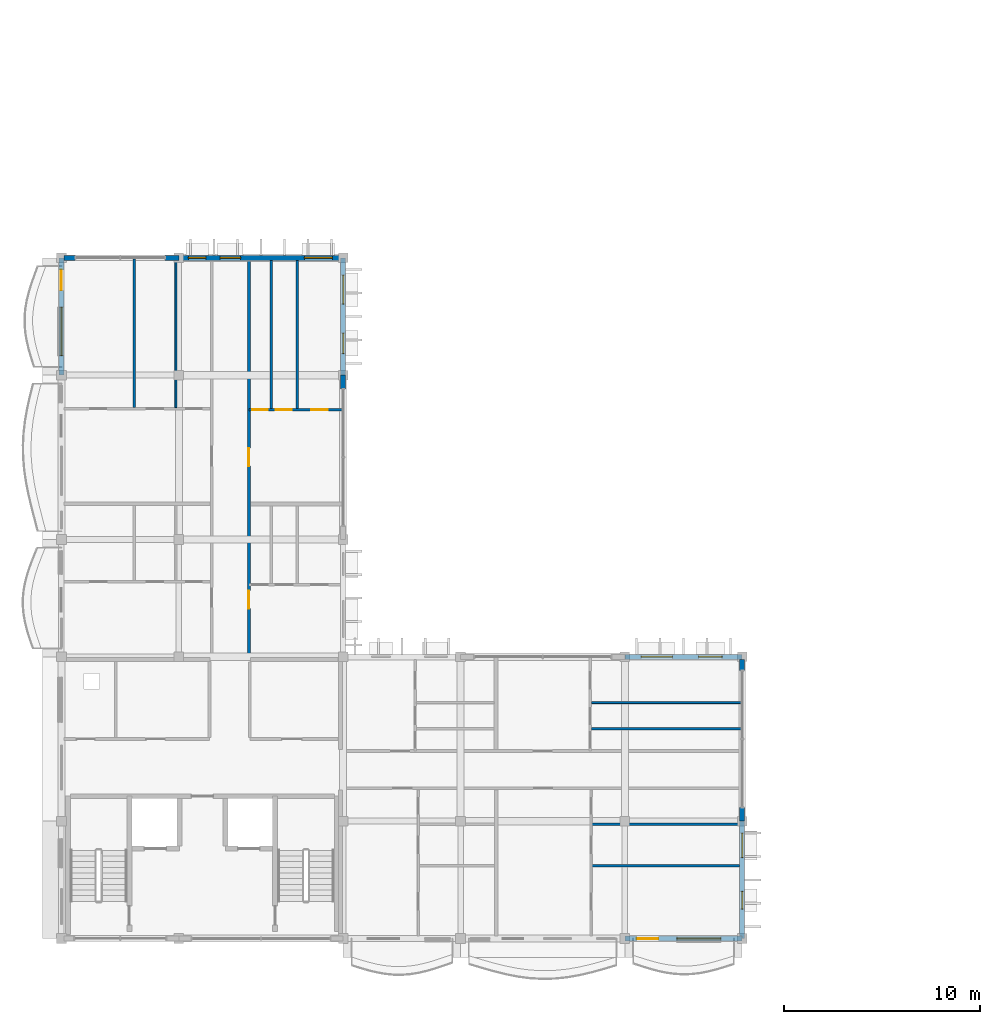
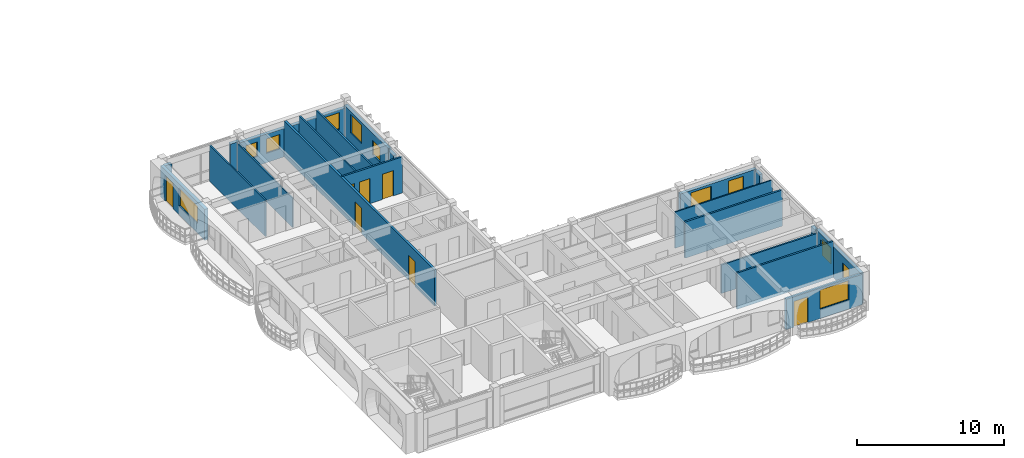
# One storey, part 23 of 54: 21 walls, 11 windows, 7 doors, 18 openings.
"""IFC4 building model written with IfcOpenShell, lengths in metres."""

from ifc_helpers import new_model, si_unit, direction, frame, frame_2d, origin, place, context, subcontext, project, spatial, rectangle, extrude, material, layer, layer_set, type_object, element, fill, save


model = new_model("IFC4")

# Units and contexts
model_context = context("Model", 3, precision=1e-05, world=origin(), true_north=direction((0.0, 1.0)))
body_context = subcontext(model_context, "Body", "Model", "MODEL_VIEW")
ifc_project = project(units=[si_unit("LENGTHUNIT", "METRE"), si_unit("AREAUNIT", "SQUARE_METRE"), si_unit("VOLUMEUNIT", "CUBIC_METRE"), si_unit("PLANEANGLEUNIT", "RADIAN"), si_unit("MASSUNIT", "GRAM", prefix="KILO"), si_unit("THERMODYNAMICTEMPERATUREUNIT", "KELVIN")], contexts=[model_context])

# Site, building, storey
site_placement = place(None, origin())
site = spatial("IfcSite", under=ifc_project, at=site_placement, CompositionType="ELEMENT")
building_placement = place(site_placement, origin())
building = spatial("IfcBuilding", under=site, at=building_placement, Name="Thalorik Housing Commons", CompositionType="ELEMENT")
storey_placement = place(building_placement, frame((0.0, 0.0, 31.199951171875)))
storey = spatial("IfcBuildingStorey", under=building, at=storey_placement, Name="L09", CompositionType="ELEMENT", Elevation=31.199951171875)

# Wall, openings, doors
ifc_material_1 = material(Name="Masonry fire-rated corridor wall", Category="masonry")
ifc_layer_1 = layer(ifc_material_1, 0.1650390625, Name="Masonry fire-rated corridor wall", Category="masonry")
ifc_layer_set_1 = layer_set([ifc_layer_1], Name="Masonry fire-rated corridor wall")
wall_type_1 = type_object("IfcWallType", Name="ARC-WAL-CORR-165", PredefinedType="PARTITIONING", material=ifc_layer_set_1)
wall_1_placement = place(storey_placement, frame((17.97998046875, 22.659912109375, 0.0), z_axis=(0.0, 0.0, 1.0), x_axis=(0.0, 1.0, 0.0)))
wall_1 = element("IfcWall", 1, at=wall_1_placement, inside=storey, type_object=wall_type_1, Name="L09 Block C W Corridor Wall 2", PredefinedType="PARTITIONING", context=body_context, shape_type="SweptSolid", body=[
    extrude(rectangle(XDim=20.41064453125, YDim=0.1650390625, at=frame_2d((10.205322265625, 0.0))), origin(), (0.0, 0.0, 1.0), 3.0),
])
opening_1_placement = place(wall_1_placement, frame((2.61083984375, 0.0, 0.0)))
opening_1 = element("IfcOpeningElement", 2, at=opening_1_placement, cuts=wall_1, Name="Opening ID-1936", PredefinedType="OPENING", context=body_context, shape_type="SweptSolid", body=[
    extrude(rectangle(XDim=0.919921875, YDim=2.10009765625, at=frame_2d((0.4599609375, 1.050048828125))), frame((0.0, 0.092529296875, 0.0), z_axis=(0.0, -1.0, 0.0), x_axis=(1.0, 0.0, 0.0)), (0.0, 0.0, 1.0), 0.18505859375),
])
opening_2_placement = place(wall_1_placement, frame((9.884765625, 0.0, 0.0)))
opening_2 = element("IfcOpeningElement", 3, at=opening_2_placement, cuts=wall_1, Name="Opening ID-1937", PredefinedType="OPENING", context=body_context, shape_type="SweptSolid", body=[
    extrude(rectangle(XDim=0.919921875, YDim=2.10009765625, at=frame_2d((0.4599609375, 1.050048828125))), frame((0.0, 0.092529296875, 0.0), z_axis=(0.0, -1.0, 0.0), x_axis=(1.0, 0.0, 0.0)), (0.0, 0.0, 1.0), 0.18505859375),
])
ifc_material_2 = material(Name="Solid core hardwood timber", Category="wood")
door_type_1 = type_object("IfcDoorType", Name="ARC-DR-FD30-920", OperationType="NOTDEFINED", PredefinedType="DOOR", material=ifc_material_2)
door_1_placement = place(opening_1_placement, origin())
door_1 = element("IfcDoor", 4, at=door_1_placement, inside=storey, type_object=door_type_1, Name="L09 Flat CW-1B Entrance Door", OperationType="SINGLE_SWING_LEFT", OverallHeight=2.10009765625, OverallWidth=0.919921875, PredefinedType="DOOR", context=body_context, shape_type="SweptSolid", body=[
    extrude(rectangle(XDim=0.919921875, YDim=2.10009765625, at=frame_2d((0.4599609375, 1.050048828125))), frame((0.0, 0.02490234375, 0.0), z_axis=(0.0, -1.0, 0.0), x_axis=(1.0, 0.0, 0.0)), (0.0, 0.0, 1.0), 0.050048828125),
])
fill(opening_1, door_1)
door_2_placement = place(opening_2_placement, origin())
door_2 = element("IfcDoor", 5, at=door_2_placement, inside=storey, type_object=door_type_1, Name="L09 Flat CW-2B Entrance Door", OperationType="SINGLE_SWING_RIGHT", OverallHeight=2.10009765625, OverallWidth=0.919921875, PredefinedType="DOOR", context=body_context, shape_type="SweptSolid", body=[
    extrude(rectangle(XDim=0.919921875, YDim=2.10009765625, at=frame_2d((0.4599609375, 1.050048828125))), frame((0.0, 0.02490234375, 0.0), z_axis=(0.0, -1.0, 0.0), x_axis=(1.0, 0.0, 0.0)), (0.0, 0.0, 1.0), 0.050048828125),
])
fill(opening_2, door_2)

# Wall
ifc_material_3 = material(Name="White precast concrete C40/50", Category="concrete")
ifc_layer_2 = layer(ifc_material_3, 0.2548828125, Name="White precast concrete C40/50", Category="concrete")
ifc_layer_set_2 = layer_set([ifc_layer_2], Name="White precast concrete C40/50")
wall_type_2 = type_object("IfcWallType", Name="ARC-WAL-EXT-255", PredefinedType="STANDARD", material=ifc_layer_set_2)
wall_2_placement = place(storey_placement, frame((22.800048828125, 36.5, 0.0), z_axis=(0.0, 0.0, 1.0), x_axis=(0.0, 1.0, 0.0)))
element("IfcWall", 6, at=wall_2_placement, inside=storey, type_object=wall_type_2, Name="L09 Exterior Wall WAL-PIERR-L09-C-1066", PredefinedType="STANDARD", context=body_context, shape_type="SweptSolid", body=[
    extrude(rectangle(XDim=0.699951171875, YDim=0.2548828125, at=frame_2d((0.35009765625, 0.0))), origin(), (0.0, 0.0, 1.0), 2.425048828125),
])

# Wall, openings, windows
wall_3_placement = place(storey_placement, frame((22.800048828125, 37.199951171875, 0.0), z_axis=(0.0, 0.0, 1.0), x_axis=(0.0, 1.0, 0.0)))
wall_3 = element("IfcWall", 7, at=wall_3_placement, inside=storey, type_object=wall_type_2, Name="L09 Exterior Wall WAL-EXT-L09-C-1067", PredefinedType="STANDARD", context=body_context, shape_type="SweptSolid", body=[
    extrude(rectangle(XDim=6.0, YDim=0.2548828125, at=frame_2d((3.0, 0.0))), origin(), (0.0, 0.0, 1.0), 2.574951171875),
])
opening_3_placement = place(wall_3_placement, frame((1.10498046875, 0.0, 0.780029296875)))
opening_3 = element("IfcOpeningElement", 8, at=opening_3_placement, cuts=wall_3, Name="Opening W-44", PredefinedType="OPENING", context=body_context, shape_type="SweptSolid", body=[
    extrude(rectangle(XDim=1.050048828125, YDim=1.199951171875, at=frame_2d((0.52490234375, 0.60009765625))), frame((0.0, 0.137451171875, 0.0), z_axis=(0.0, -1.0, 0.0), x_axis=(1.0, 0.0, 0.0)), (0.0, 0.0, 1.0), 0.27490234375),
])
opening_4_placement = place(wall_3_placement, frame((3.6298828125, 0.0, 0.780029296875)))
opening_4 = element("IfcOpeningElement", 9, at=opening_4_placement, cuts=wall_3, Name="Opening W-51", PredefinedType="OPENING", context=body_context, shape_type="SweptSolid", body=[
    extrude(rectangle(XDim=1.47998046875, YDim=1.52001953125, at=frame_2d((0.739990234375, 0.760009765625))), frame((0.0, 0.137451171875, 0.0), z_axis=(0.0, -1.0, 0.0), x_axis=(1.0, 0.0, 0.0)), (0.0, 0.0, 1.0), 0.27490234375),
])
ifc_material_4 = material(Name="Anodised aluminium and solar-control low-E glass", Category="aluminium")
window_type_1 = type_object("IfcWindowType", Name="ARC-WIN-44", PartitioningType="SINGLE_PANEL", PredefinedType="WINDOW", material=ifc_material_4)
window_1_placement = place(opening_3_placement, origin())
window_1 = element("IfcWindow", 10, at=window_1_placement, inside=storey, type_object=window_type_1, Name="L09 Facade Window 1970", OverallHeight=1.199951171875, OverallWidth=1.050048828125, PartitioningType="SINGLE_PANEL", PredefinedType="WINDOW", context=body_context, shape_type="SweptSolid", body=[
    extrude(rectangle(XDim=1.050048828125, YDim=1.199951171875, at=frame_2d((0.52490234375, 0.60009765625))), frame((0.0, 0.030029296875, 0.0), z_axis=(0.0, -1.0, 0.0), x_axis=(1.0, 0.0, 0.0)), (0.0, 0.0, 1.0), 0.06005859375),
])
fill(opening_3, window_1)
window_type_2 = type_object("IfcWindowType", Name="ARC-WIN-51", PartitioningType="SINGLE_PANEL", PredefinedType="WINDOW", material=ifc_material_4)
window_2_placement = place(opening_4_placement, origin())
window_2 = element("IfcWindow", 11, at=window_2_placement, inside=storey, type_object=window_type_2, Name="L09 Facade Window 1971", OverallHeight=1.52001953125, OverallWidth=1.47998046875, PartitioningType="SINGLE_PANEL", PredefinedType="WINDOW", context=body_context, shape_type="SweptSolid", body=[
    extrude(rectangle(XDim=1.47998046875, YDim=1.52001953125, at=frame_2d((0.739990234375, 0.760009765625))), frame((0.0, 0.030029296875, 0.0), z_axis=(0.0, -1.0, 0.0), x_axis=(1.0, 0.0, 0.0)), (0.0, 0.0, 1.0), 0.06005859375),
])
fill(opening_4, window_2)

wall_4_placement = place(storey_placement, frame((22.800048828125, 43.199951171875, 0.0), z_axis=(0.0, 0.0, 1.0), x_axis=(-1.0, 0.0, 0.0)))
wall_4 = element("IfcWall", 12, at=wall_4_placement, inside=storey, type_object=wall_type_2, Name="L09 Exterior Wall WAL-EXT-L09-C-1068", PredefinedType="STANDARD", context=body_context, shape_type="SweptSolid", body=[
    extrude(rectangle(XDim=8.400146484375, YDim=0.2548828125, at=frame_2d((4.2001953125, 0.0))), origin(), (0.0, 0.0, 1.0), 2.375),
])
opening_5_placement = place(wall_4_placement, frame((0.557373046875, 0.0, 0.780029296875)))
opening_5 = element("IfcOpeningElement", 13, at=opening_5_placement, cuts=wall_4, Name="Opening W-50", PredefinedType="OPENING", context=body_context, shape_type="SweptSolid", body=[
    extrude(rectangle(XDim=1.419921875, YDim=1.3798828125, at=frame_2d((0.7099609375, 0.68994140625))), frame((0.0, 0.137451171875, 0.0), z_axis=(0.0, -1.0, 0.0), x_axis=(1.0, 0.0, 0.0)), (0.0, 0.0, 1.0), 0.27490234375),
])
opening_6_placement = place(wall_4_placement, frame((5.2451171875, 0.0, 0.780029296875)))
opening_6 = element("IfcOpeningElement", 14, at=opening_6_placement, cuts=wall_4, Name="Opening W-44", PredefinedType="OPENING", context=body_context, shape_type="SweptSolid", body=[
    extrude(rectangle(XDim=1.050048828125, YDim=1.199951171875, at=frame_2d((0.52490234375, 0.60009765625))), frame((0.0, 0.137451171875, 0.0), z_axis=(0.0, -1.0, 0.0), x_axis=(1.0, 0.0, 0.0)), (0.0, 0.0, 1.0), 0.27490234375),
])
opening_7_placement = place(wall_4_placement, frame((7.014892578125, 0.0, 0.780029296875)))
opening_7 = element("IfcOpeningElement", 15, at=opening_7_placement, cuts=wall_4, Name="Opening W-01", PredefinedType="OPENING", context=body_context, shape_type="SweptSolid", body=[
    extrude(rectangle(XDim=0.89990234375, YDim=1.199951171875, at=frame_2d((0.449951171875, 0.60009765625))), frame((0.0, 0.137451171875, 0.0), z_axis=(0.0, -1.0, 0.0), x_axis=(1.0, 0.0, 0.0)), (0.0, 0.0, 1.0), 0.27490234375),
])
window_type_3 = type_object("IfcWindowType", Name="ARC-WIN-01", PartitioningType="SINGLE_PANEL", PredefinedType="WINDOW", material=ifc_material_4)
window_3_placement = place(opening_7_placement, origin())
window_3 = element("IfcWindow", 16, at=window_3_placement, inside=storey, type_object=window_type_3, Name="L09 Facade Window 1974", OverallHeight=1.199951171875, OverallWidth=0.89990234375, PartitioningType="SINGLE_PANEL", PredefinedType="WINDOW", context=body_context, shape_type="SweptSolid", body=[
    extrude(rectangle(XDim=0.89990234375, YDim=1.199951171875, at=frame_2d((0.449951171875, 0.60009765625))), frame((0.0, 0.030029296875, 0.0), z_axis=(0.0, -1.0, 0.0), x_axis=(1.0, 0.0, 0.0)), (0.0, 0.0, 1.0), 0.06005859375),
])
fill(opening_7, window_3)
window_4_placement = place(opening_6_placement, origin())
window_4 = element("IfcWindow", 17, at=window_4_placement, inside=storey, type_object=window_type_1, Name="L09 Facade Window 1973", OverallHeight=1.199951171875, OverallWidth=1.050048828125, PartitioningType="SINGLE_PANEL", PredefinedType="WINDOW", context=body_context, shape_type="SweptSolid", body=[
    extrude(rectangle(XDim=1.050048828125, YDim=1.199951171875, at=frame_2d((0.52490234375, 0.60009765625))), frame((0.0, 0.030029296875, 0.0), z_axis=(0.0, -1.0, 0.0), x_axis=(1.0, 0.0, 0.0)), (0.0, 0.0, 1.0), 0.06005859375),
])
fill(opening_6, window_4)
window_type_4 = type_object("IfcWindowType", Name="ARC-WIN-50", PartitioningType="SINGLE_PANEL", PredefinedType="WINDOW", material=ifc_material_4)
window_5_placement = place(opening_5_placement, origin())
window_5 = element("IfcWindow", 18, at=window_5_placement, inside=storey, type_object=window_type_4, Name="L09 Facade Window 1972", OverallHeight=1.3798828125, OverallWidth=1.419921875, PartitioningType="SINGLE_PANEL", PredefinedType="WINDOW", context=body_context, shape_type="SweptSolid", body=[
    extrude(rectangle(XDim=1.419921875, YDim=1.3798828125, at=frame_2d((0.7099609375, 0.68994140625))), frame((0.0, 0.030029296875, 0.0), z_axis=(0.0, -1.0, 0.0), x_axis=(1.0, 0.0, 0.0)), (0.0, 0.0, 1.0), 0.06005859375),
])
fill(opening_5, window_5)

# Walls
wall_5_placement = place(storey_placement, frame((14.39990234375, 43.199951171875, 0.0), z_axis=(0.0, 0.0, 1.0), x_axis=(-1.0, 0.0, 0.0)))
element("IfcWall", 19, at=wall_5_placement, inside=storey, type_object=wall_type_2, Name="L09 Exterior Wall WAL-PIERL-L09-C-1069", PredefinedType="STANDARD", context=body_context, shape_type="SweptSolid", body=[
    extrude(rectangle(XDim=0.699951171875, YDim=0.2548828125, at=frame_2d((0.35009765625, 0.0))), origin(), (0.0, 0.0, 1.0), 2.525146484375),
])
wall_6_placement = place(storey_placement, frame((9.10009765625, 43.199951171875, 0.0), z_axis=(0.0, 0.0, 1.0), x_axis=(-1.0, 0.0, 0.0)))
element("IfcWall", 20, at=wall_6_placement, inside=storey, type_object=wall_type_2, Name="L09 Exterior Wall WAL-PIERR-L09-C-1069", PredefinedType="STANDARD", context=body_context, shape_type="SweptSolid", body=[
    extrude(rectangle(XDim=0.570556640625, YDim=0.2548828125, at=frame_2d((0.28515625, 0.0))), origin(), (0.0, 0.0, 1.0), 2.525146484375),
])

# Wall, openings, door, window
wall_7_placement = place(storey_placement, frame((8.39990234375, 43.199951171875, 0.0), z_axis=(0.0, 0.0, 1.0), x_axis=(0.0, -1.0, 0.0)))
wall_7 = element("IfcWall", 21, at=wall_7_placement, inside=storey, type_object=wall_type_2, Name="L09 Exterior Wall WAL-EXT-L09-C-1070", PredefinedType="STANDARD", context=body_context, shape_type="SweptSolid", body=[
    extrude(rectangle(XDim=6.0, YDim=0.2548828125, at=frame_2d((3.0, 0.0))), origin(), (0.0, 0.0, 1.0), 2.574951171875),
])
opening_8_placement = place(wall_7_placement, frame((0.6201171875, 0.0, 0.0)))
opening_8 = element("IfcOpeningElement", 22, at=opening_8_placement, cuts=wall_7, Name="Opening ED-0358", PredefinedType="OPENING", context=body_context, shape_type="SweptSolid", body=[
    extrude(rectangle(XDim=1.050048828125, YDim=2.14990234375, at=frame_2d((0.52490234375, 1.074951171875))), frame((0.0, 0.137451171875, 0.0), z_axis=(0.0, -1.0, 0.0), x_axis=(1.0, 0.0, 0.0)), (0.0, 0.0, 1.0), 0.27490234375),
])
opening_9_placement = place(wall_7_placement, frame((2.52490234375, 0.0, 0.780029296875)))
opening_9 = element("IfcOpeningElement", 23, at=opening_9_placement, cuts=wall_7, Name="Opening W-71", PredefinedType="OPENING", context=body_context, shape_type="SweptSolid", body=[
    extrude(rectangle(XDim=2.47998046875, YDim=1.4599609375, at=frame_2d((1.239990234375, 0.72998046875))), frame((0.0, 0.137451171875, 0.0), z_axis=(0.0, -1.0, 0.0), x_axis=(1.0, 0.0, 0.0)), (0.0, 0.0, 1.0), 0.27490234375),
])
ifc_material_5 = material(Name="Anodised aluminium and laminated safety glass", Category="aluminium")
door_type_2 = type_object("IfcDoorType", Name="ARC-DR-BAL-1050", OperationType="NOTDEFINED", PredefinedType="DOOR", material=ifc_material_5)
door_3_placement = place(opening_8_placement, frame((1.050048828125, 0.0, 0.0), z_axis=(0.0, 0.0, 1.0), x_axis=(-1.0, 0.0, 0.0)))
door_3 = element("IfcDoor", 24, at=door_3_placement, inside=storey, type_object=door_type_2, Name="L09 Block C Balcony Glazed Door", OperationType="SINGLE_SWING_LEFT", OverallHeight=2.14990234375, OverallWidth=1.050048828125, PredefinedType="DOOR", context=body_context, shape_type="SweptSolid", body=[
    extrude(rectangle(XDim=1.050048828125, YDim=2.14990234375, at=frame_2d((0.52490234375, 1.074951171875))), frame((0.0, 0.02490234375, 0.0), z_axis=(0.0, -1.0, 0.0), x_axis=(1.0, 0.0, 0.0)), (0.0, 0.0, 1.0), 0.050048828125),
])
fill(opening_8, door_3)
window_type_5 = type_object("IfcWindowType", Name="ARC-WIN-71", PartitioningType="DOUBLE_PANEL_VERTICAL", PredefinedType="WINDOW", material=ifc_material_4)
window_6_placement = place(opening_9_placement, origin())
window_6 = element("IfcWindow", 25, at=window_6_placement, inside=storey, type_object=window_type_5, Name="L09 Facade Window 1975", OverallHeight=1.4599609375, OverallWidth=2.47998046875, PartitioningType="DOUBLE_PANEL_VERTICAL", PredefinedType="WINDOW", context=body_context, shape_type="SweptSolid", body=[
    extrude(rectangle(XDim=2.47998046875, YDim=1.4599609375, at=frame_2d((1.239990234375, 0.72998046875))), frame((0.0, 0.030029296875, 0.0), z_axis=(0.0, -1.0, 0.0), x_axis=(1.0, 0.0, 0.0)), (0.0, 0.0, 1.0), 0.06005859375),
])
fill(opening_9, window_6)

wall_8_placement = place(storey_placement, frame((37.199951171875, 8.39990234375, 0.0), z_axis=(0.0, 0.0, 1.0), x_axis=(1.0, 0.0, 0.0)))
wall_8 = element("IfcWall", 26, at=wall_8_placement, inside=storey, type_object=wall_type_2, Name="L09 Exterior Wall WAL-EXT-L09-C-1079", PredefinedType="STANDARD", context=body_context, shape_type="SweptSolid", body=[
    extrude(rectangle(XDim=6.0, YDim=0.2548828125, at=frame_2d((3.0, 0.0))), origin(), (0.0, 0.0, 1.0), 2.525146484375),
])
opening_10_placement = place(wall_8_placement, frame((0.6201171875, 0.0, 0.0)))
opening_10 = element("IfcOpeningElement", 27, at=opening_10_placement, cuts=wall_8, Name="Opening ED-0363", PredefinedType="OPENING", context=body_context, shape_type="SweptSolid", body=[
    extrude(rectangle(XDim=1.10009765625, YDim=2.14990234375, at=frame_2d((0.550048828125, 1.074951171875))), frame((0.0, 0.137451171875, 0.0), z_axis=(0.0, -1.0, 0.0), x_axis=(1.0, 0.0, 0.0)), (0.0, 0.0, 1.0), 0.27490234375),
])
opening_11_placement = place(wall_8_placement, frame((2.6650390625, 0.0, 0.780029296875)))
opening_11 = element("IfcOpeningElement", 28, at=opening_11_placement, cuts=wall_8, Name="Opening W-31", PredefinedType="OPENING", context=body_context, shape_type="SweptSolid", body=[
    extrude(rectangle(XDim=2.25, YDim=1.60009765625, at=frame_2d((1.125, 0.800048828125))), frame((0.0, 0.137451171875, 0.0), z_axis=(0.0, -1.0, 0.0), x_axis=(1.0, 0.0, 0.0)), (0.0, 0.0, 1.0), 0.27490234375),
])
door_type_3 = type_object("IfcDoorType", Name="ARC-DR-BAL-1100", OperationType="NOTDEFINED", PredefinedType="DOOR", material=ifc_material_5)
door_4_placement = place(opening_10_placement, frame((1.10009765625, 0.0, 0.0), z_axis=(0.0, 0.0, 1.0), x_axis=(-1.0, 0.0, 0.0)))
door_4 = element("IfcDoor", 29, at=door_4_placement, inside=storey, type_object=door_type_3, Name="L09 Block C Balcony Glazed Door", OperationType="SINGLE_SWING_RIGHT", OverallHeight=2.14990234375, OverallWidth=1.10009765625, PredefinedType="DOOR", context=body_context, shape_type="SweptSolid", body=[
    extrude(rectangle(XDim=1.10009765625, YDim=2.14990234375, at=frame_2d((0.550048828125, 1.074951171875))), frame((0.0, 0.02490234375, 0.0), z_axis=(0.0, -1.0, 0.0), x_axis=(1.0, 0.0, 0.0)), (0.0, 0.0, 1.0), 0.050048828125),
])
fill(opening_10, door_4)
window_type_6 = type_object("IfcWindowType", Name="ARC-WIN-31", PartitioningType="DOUBLE_PANEL_VERTICAL", PredefinedType="WINDOW", material=ifc_material_4)
window_7_placement = place(opening_11_placement, origin())
window_7 = element("IfcWindow", 30, at=window_7_placement, inside=storey, type_object=window_type_6, Name="L09 Facade Window 1989", OverallHeight=1.60009765625, OverallWidth=2.25, PartitioningType="DOUBLE_PANEL_VERTICAL", PredefinedType="WINDOW", context=body_context, shape_type="SweptSolid", body=[
    extrude(rectangle(XDim=2.25, YDim=1.60009765625, at=frame_2d((1.125, 0.800048828125))), frame((0.0, 0.030029296875, 0.0), z_axis=(0.0, -1.0, 0.0), x_axis=(1.0, 0.0, 0.0)), (0.0, 0.0, 1.0), 0.06005859375),
])
fill(opening_11, window_7)

# Wall, openings, windows
wall_9_placement = place(storey_placement, frame((43.199951171875, 8.39990234375, 0.0), z_axis=(0.0, 0.0, 1.0), x_axis=(0.0, 1.0, 0.0)))
wall_9 = element("IfcWall", 31, at=wall_9_placement, inside=storey, type_object=wall_type_2, Name="L09 Exterior Wall WAL-EXT-L09-C-1080", PredefinedType="STANDARD", context=body_context, shape_type="SweptSolid", body=[
    extrude(rectangle(XDim=6.0, YDim=0.2548828125, at=frame_2d((3.0, 0.0))), origin(), (0.0, 0.0, 1.0), 2.574951171875),
])
opening_12_placement = place(wall_9_placement, frame((1.50390625, 0.0, 0.780029296875)))
opening_12 = element("IfcOpeningElement", 32, at=opening_12_placement, cuts=wall_9, Name="Opening W-01", PredefinedType="OPENING", context=body_context, shape_type="SweptSolid", body=[
    extrude(rectangle(XDim=0.89990234375, YDim=1.199951171875, at=frame_2d((0.449951171875, 0.60009765625))), frame((0.0, 0.137451171875, 0.0), z_axis=(0.0, -1.0, 0.0), x_axis=(1.0, 0.0, 0.0)), (0.0, 0.0, 1.0), 0.27490234375),
])
opening_13_placement = place(wall_9_placement, frame((4.138916015625, 0.0, 0.780029296875)))
opening_13 = element("IfcOpeningElement", 33, at=opening_13_placement, cuts=wall_9, Name="Opening W-46", PredefinedType="OPENING", context=body_context, shape_type="SweptSolid", body=[
    extrude(rectangle(XDim=1.25, YDim=1.300048828125, at=frame_2d((0.625, 0.64990234375))), frame((0.0, 0.137451171875, 0.0), z_axis=(0.0, -1.0, 0.0), x_axis=(1.0, 0.0, 0.0)), (0.0, 0.0, 1.0), 0.27490234375),
])
window_8_placement = place(opening_12_placement, origin())
window_8 = element("IfcWindow", 34, at=window_8_placement, inside=storey, type_object=window_type_3, Name="L09 Facade Window 1990", OverallHeight=1.199951171875, OverallWidth=0.89990234375, PartitioningType="SINGLE_PANEL", PredefinedType="WINDOW", context=body_context, shape_type="SweptSolid", body=[
    extrude(rectangle(XDim=0.89990234375, YDim=1.199951171875, at=frame_2d((0.449951171875, 0.60009765625))), frame((0.0, 0.030029296875, 0.0), z_axis=(0.0, -1.0, 0.0), x_axis=(1.0, 0.0, 0.0)), (0.0, 0.0, 1.0), 0.06005859375),
])
fill(opening_12, window_8)
window_type_7 = type_object("IfcWindowType", Name="ARC-WIN-46", PartitioningType="SINGLE_PANEL", PredefinedType="WINDOW", material=ifc_material_4)
window_9_placement = place(opening_13_placement, origin())
window_9 = element("IfcWindow", 35, at=window_9_placement, inside=storey, type_object=window_type_7, Name="L09 Facade Window 1991", OverallHeight=1.300048828125, OverallWidth=1.25, PartitioningType="SINGLE_PANEL", PredefinedType="WINDOW", context=body_context, shape_type="SweptSolid", body=[
    extrude(rectangle(XDim=1.25, YDim=1.300048828125, at=frame_2d((0.625, 0.64990234375))), frame((0.0, 0.030029296875, 0.0), z_axis=(0.0, -1.0, 0.0), x_axis=(1.0, 0.0, 0.0)), (0.0, 0.0, 1.0), 0.06005859375),
])
fill(opening_13, window_9)

# Walls
wall_10_placement = place(storey_placement, frame((43.199951171875, 14.39990234375, 0.0), z_axis=(0.0, 0.0, 1.0), x_axis=(0.0, 1.0, 0.0)))
element("IfcWall", 36, at=wall_10_placement, inside=storey, type_object=wall_type_2, Name="L09 Exterior Wall WAL-PIERL-L09-C-1081", PredefinedType="STANDARD", context=body_context, shape_type="SweptSolid", body=[
    extrude(rectangle(XDim=0.7001953125, YDim=0.2548828125, at=frame_2d((0.35009765625, 0.0))), origin(), (0.0, 0.0, 1.0), 2.425048828125),
])
wall_11_placement = place(storey_placement, frame((43.199951171875, 22.10009765625, 0.0), z_axis=(0.0, 0.0, 1.0), x_axis=(0.0, 1.0, 0.0)))
element("IfcWall", 37, at=wall_11_placement, inside=storey, type_object=wall_type_2, Name="L09 Exterior Wall WAL-PIERR-L09-C-1081", PredefinedType="STANDARD", context=body_context, shape_type="SweptSolid", body=[
    extrude(rectangle(XDim=0.5703125, YDim=0.2548828125, at=frame_2d((0.28515625, 0.0))), origin(), (0.0, 0.0, 1.0), 2.425048828125),
])

# Wall, openings, windows
wall_12_placement = place(storey_placement, frame((43.199951171875, 22.800048828125, 0.0), z_axis=(0.0, 0.0, 1.0), x_axis=(-1.0, 0.0, 0.0)))
wall_12 = element("IfcWall", 38, at=wall_12_placement, inside=storey, type_object=wall_type_2, Name="L09 Exterior Wall WAL-EXT-L09-C-1082", PredefinedType="STANDARD", context=body_context, shape_type="SweptSolid", body=[
    extrude(rectangle(XDim=6.0, YDim=0.2548828125, at=frame_2d((3.0, 0.0))), origin(), (0.0, 0.0, 1.0), 2.525146484375),
])
opening_14_placement = place(wall_12_placement, frame((1.030029296875, 0.0, 0.780029296875)))
opening_14 = element("IfcOpeningElement", 39, at=opening_14_placement, cuts=wall_12, Name="Opening W-05", PredefinedType="OPENING", context=body_context, shape_type="SweptSolid", body=[
    extrude(rectangle(XDim=1.199951171875, YDim=1.5, at=frame_2d((0.60009765625, 0.75))), frame((0.0, 0.137451171875, 0.0), z_axis=(0.0, -1.0, 0.0), x_axis=(1.0, 0.0, 0.0)), (0.0, 0.0, 1.0), 0.27490234375),
])
opening_15_placement = place(wall_12_placement, frame((3.570068359375, 0.0, 0.780029296875)))
opening_15 = element("IfcOpeningElement", 40, at=opening_15_placement, cuts=wall_12, Name="Opening W-13", PredefinedType="OPENING", context=body_context, shape_type="SweptSolid", body=[
    extrude(rectangle(XDim=1.60009765625, YDim=1.550048828125, at=frame_2d((0.800048828125, 0.77490234375))), frame((0.0, 0.137451171875, 0.0), z_axis=(0.0, -1.0, 0.0), x_axis=(1.0, 0.0, 0.0)), (0.0, 0.0, 1.0), 0.27490234375),
])
window_type_8 = type_object("IfcWindowType", Name="ARC-WIN-05", PartitioningType="SINGLE_PANEL", PredefinedType="WINDOW", material=ifc_material_4)
window_10_placement = place(opening_14_placement, origin())
window_10 = element("IfcWindow", 41, at=window_10_placement, inside=storey, type_object=window_type_8, Name="L09 Facade Window 1992", OverallHeight=1.5, OverallWidth=1.199951171875, PartitioningType="SINGLE_PANEL", PredefinedType="WINDOW", context=body_context, shape_type="SweptSolid", body=[
    extrude(rectangle(XDim=1.199951171875, YDim=1.5, at=frame_2d((0.60009765625, 0.75))), frame((0.0, 0.030029296875, 0.0), z_axis=(0.0, -1.0, 0.0), x_axis=(1.0, 0.0, 0.0)), (0.0, 0.0, 1.0), 0.06005859375),
])
fill(opening_14, window_10)
window_type_9 = type_object("IfcWindowType", Name="ARC-WIN-13", PartitioningType="DOUBLE_PANEL_VERTICAL", PredefinedType="WINDOW", material=ifc_material_4)
window_11_placement = place(opening_15_placement, origin())
window_11 = element("IfcWindow", 42, at=window_11_placement, inside=storey, type_object=window_type_9, Name="L09 Facade Window 1993", OverallHeight=1.550048828125, OverallWidth=1.60009765625, PartitioningType="DOUBLE_PANEL_VERTICAL", PredefinedType="WINDOW", context=body_context, shape_type="SweptSolid", body=[
    extrude(rectangle(XDim=1.60009765625, YDim=1.550048828125, at=frame_2d((0.800048828125, 0.77490234375))), frame((0.0, 0.030029296875, 0.0), z_axis=(0.0, -1.0, 0.0), x_axis=(1.0, 0.0, 0.0)), (0.0, 0.0, 1.0), 0.06005859375),
])
fill(opening_15, window_11)

# Walls
ifc_material_6 = material(Name="Gypsum light stud partition", Category="masonry")
ifc_layer_3 = layer(ifc_material_6, 0.10009765625, Name="Gypsum light stud partition", Category="masonry")
ifc_layer_set_3 = layer_set([ifc_layer_3], Name="Gypsum light stud partition")
wall_type_3 = type_object("IfcWallType", Name="ARC-WAL-PART-100", PredefinedType="PARTITIONING", material=ifc_layer_set_3)
wall_13_placement = place(storey_placement, frame((14.251220703125, 35.54443359375, 0.0), z_axis=(0.0, 0.0, 1.0), x_axis=(0.0, 1.0, 0.0)))
element("IfcWall", 43, at=wall_13_placement, inside=storey, type_object=wall_type_3, Name="L09 Unit 2 Wet Wall", PredefinedType="PARTITIONING", context=body_context, shape_type="SweptSolid", body=[
    extrude(rectangle(XDim=7.526123046875, YDim=0.10009765625, at=frame_2d((3.76318359375, 0.0))), origin(), (0.0, 0.0, 1.0), 2.425048828125),
])
wall_14_placement = place(storey_placement, frame((35.489013671875, 20.455078125, 0.0), z_axis=(0.0, 0.0, 1.0), x_axis=(1.0, 0.0, 0.0)))
element("IfcWall", 44, at=wall_14_placement, inside=storey, type_object=wall_type_3, Name="L09 Unit 2B Bedroom Partition", PredefinedType="PARTITIONING", context=body_context, shape_type="SweptSolid", body=[
    extrude(rectangle(XDim=7.65087890625, YDim=0.10009765625, at=frame_2d((3.825439453125, 0.0))), origin(), (0.0, 0.0, 1.0), 3.0),
])
ifc_material_7 = material(Name="Gypsum moisture-resistant partition", Category="masonry")
ifc_layer_4 = layer(ifc_material_7, 0.114990234375, Name="Gypsum moisture-resistant partition", Category="masonry")
ifc_layer_set_4 = layer_set([ifc_layer_4], Name="Gypsum moisture-resistant partition")
wall_type_4 = type_object("IfcWallType", Name="ARC-WAL-PART-115", PredefinedType="PARTITIONING", material=ifc_layer_set_4)
wall_15_placement = place(storey_placement, frame((12.11767578125, 35.54443359375, 0.0), z_axis=(0.0, 0.0, 1.0), x_axis=(0.0, 1.0, 0.0)))
element("IfcWall", 45, at=wall_15_placement, inside=storey, type_object=wall_type_4, Name="L09 Unit 2 Bedroom Partition", PredefinedType="PARTITIONING", context=body_context, shape_type="SweptSolid", body=[
    extrude(rectangle(XDim=7.595458984375, YDim=0.114990234375, at=frame_2d((3.7978515625, 0.0))), origin(), (0.0, 0.0, 1.0), 3.0),
])
wall_16_placement = place(storey_placement, frame((19.122314453125, 35.501708984375, 0.0), z_axis=(0.0, 0.0, 1.0), x_axis=(0.0, 1.0, 0.0)))
element("IfcWall", 46, at=wall_16_placement, inside=storey, type_object=wall_type_4, Name="L09 Unit 2B Wet Wall", PredefinedType="PARTITIONING", context=body_context, shape_type="SweptSolid", body=[
    extrude(rectangle(XDim=7.56884765625, YDim=0.114990234375, at=frame_2d((3.784423828125, 0.0))), origin(), (0.0, 0.0, 1.0), 3.0),
])
ifc_material_8 = material(Name="Gypsum acoustic stud partition", Category="masonry")
ifc_layer_5 = layer(ifc_material_8, 0.125, Name="Gypsum acoustic stud partition", Category="masonry")
ifc_layer_set_5 = layer_set([ifc_layer_5], Name="Gypsum acoustic stud partition")
wall_type_5 = type_object("IfcWallType", Name="ARC-WAL-PART-125", PredefinedType="PARTITIONING", material=ifc_layer_set_5)
wall_17_placement = place(storey_placement, frame((20.455078125, 35.501708984375, 0.0), z_axis=(0.0, 0.0, 1.0), x_axis=(0.0, 1.0, 0.0)))
element("IfcWall", 47, at=wall_17_placement, inside=storey, type_object=wall_type_5, Name="L09 Unit 2B Bedroom Partition", PredefinedType="PARTITIONING", context=body_context, shape_type="SweptSolid", body=[
    extrude(rectangle(XDim=7.56884765625, YDim=0.125, at=frame_2d((3.784423828125, 0.0))), origin(), (0.0, 0.0, 1.0), 3.0),
])
wall_18_placement = place(storey_placement, frame((35.531982421875, 14.251220703125, 0.0), z_axis=(0.0, 0.0, 1.0), x_axis=(1.0, 0.0, 0.0)))
element("IfcWall", 48, at=wall_18_placement, inside=storey, type_object=wall_type_5, Name="L09 Unit 2 Wet Wall", PredefinedType="PARTITIONING", context=body_context, shape_type="SweptSolid", body=[
    extrude(rectangle(XDim=7.53857421875, YDim=0.125, at=frame_2d((3.769287109375, 0.0))), origin(), (0.0, 0.0, 1.0), 2.375),
])

# Wall, openings, doors
ifc_material_9 = material(Name="Ceramic masonry partition wall", Category="masonry")
ifc_layer_6 = layer(ifc_material_9, 0.139892578125, Name="Ceramic masonry partition wall", Category="masonry")
ifc_layer_set_6 = layer_set([ifc_layer_6], Name="Ceramic masonry partition wall")
wall_type_6 = type_object("IfcWallType", Name="ARC-WAL-PART-140", PredefinedType="PARTITIONING", material=ifc_layer_set_6)
wall_19_placement = place(storey_placement, frame((17.97998046875, 35.4296875, 0.0), z_axis=(0.0, 0.0, 1.0), x_axis=(1.0, 0.0, 0.0)))
wall_19 = element("IfcWall", 49, at=wall_19_placement, inside=storey, type_object=wall_type_6, Name="L09 Unit 2B Spine Partition", PredefinedType="PARTITIONING", context=body_context, shape_type="SweptSolid", body=[
    extrude(rectangle(XDim=4.760009765625, YDim=0.139892578125, at=frame_2d((2.3798828125, 0.0))), origin(), (0.0, 0.0, 1.0), 3.0),
])
opening_16_placement = place(wall_19_placement, frame((0.171142578125, 0.0, 0.0)))
opening_16 = element("IfcOpeningElement", 50, at=opening_16_placement, cuts=wall_19, Name="Opening ID-1931", PredefinedType="OPENING", context=body_context, shape_type="SweptSolid", body=[
    extrude(rectangle(XDim=0.800048828125, YDim=2.10009765625, at=frame_2d((0.39990234375, 1.050048828125))), frame((0.0, 0.080078125, 0.0), z_axis=(0.0, -1.0, 0.0), x_axis=(1.0, 0.0, 0.0)), (0.0, 0.0, 1.0), 0.159912109375),
])
opening_17_placement = place(wall_19_placement, frame((1.3837890625, 0.0, 0.0)))
opening_17 = element("IfcOpeningElement", 51, at=opening_17_placement, cuts=wall_19, Name="Opening ID-1932", PredefinedType="OPENING", context=body_context, shape_type="SweptSolid", body=[
    extrude(rectangle(XDim=0.820068359375, YDim=2.080078125, at=frame_2d((0.41015625, 1.0400390625))), frame((0.0, 0.080078125, 0.0), z_axis=(0.0, -1.0, 0.0), x_axis=(1.0, 0.0, 0.0)), (0.0, 0.0, 1.0), 0.159912109375),
])
opening_18_placement = place(wall_19_placement, frame((3.192626953125, 0.0, 0.0)))
opening_18 = element("IfcOpeningElement", 52, at=opening_18_placement, cuts=wall_19, Name="Opening ID-1933", PredefinedType="OPENING", context=body_context, shape_type="SweptSolid", body=[
    extrude(rectangle(XDim=0.85009765625, YDim=2.10009765625, at=frame_2d((0.425048828125, 1.050048828125))), frame((0.0, 0.080078125, 0.0), z_axis=(0.0, -1.0, 0.0), x_axis=(1.0, 0.0, 0.0)), (0.0, 0.0, 1.0), 0.159912109375),
])
ifc_material_10 = material(Name="Moisture-resistant timber", Category="wood")
door_type_4 = type_object("IfcDoorType", Name="ARC-DR-INT-800", OperationType="NOTDEFINED", PredefinedType="DOOR", material=ifc_material_10)
door_5_placement = place(opening_16_placement, origin())
door_5 = element("IfcDoor", 53, at=door_5_placement, inside=storey, type_object=door_type_4, Name="L09 Accessible Bathroom Door", OperationType="SINGLE_SWING_RIGHT", OverallHeight=2.10009765625, OverallWidth=0.800048828125, PredefinedType="DOOR", context=body_context, shape_type="SweptSolid", body=[
    extrude(rectangle(XDim=0.800048828125, YDim=2.10009765625, at=frame_2d((0.39990234375, 1.050048828125))), frame((0.0, 0.02490234375, 0.0), z_axis=(0.0, -1.0, 0.0), x_axis=(1.0, 0.0, 0.0)), (0.0, 0.0, 1.0), 0.050048828125),
])
fill(opening_16, door_5)
ifc_material_11 = material(Name="Engineered oak timber", Category="wood")
door_type_5 = type_object("IfcDoorType", Name="ARC-DR-INT-820", OperationType="NOTDEFINED", PredefinedType="DOOR", material=ifc_material_11)
door_6_placement = place(opening_17_placement, origin())
door_6 = element("IfcDoor", 54, at=door_6_placement, inside=storey, type_object=door_type_5, Name="L09 Eat-In Kitchen Door", OperationType="SINGLE_SWING_LEFT", OverallHeight=2.080078125, OverallWidth=0.820068359375, PredefinedType="DOOR", context=body_context, shape_type="SweptSolid", body=[
    extrude(rectangle(XDim=0.820068359375, YDim=2.080078125, at=frame_2d((0.41015625, 1.0400390625))), frame((0.0, 0.02490234375, 0.0), z_axis=(0.0, -1.0, 0.0), x_axis=(1.0, 0.0, 0.0)), (0.0, 0.0, 1.0), 0.050048828125),
])
fill(opening_17, door_6)
door_type_6 = type_object("IfcDoorType", Name="ARC-DR-INT-850", OperationType="NOTDEFINED", PredefinedType="DOOR", material=ifc_material_11)
door_7_placement = place(opening_18_placement, origin())
door_7 = element("IfcDoor", 55, at=door_7_placement, inside=storey, type_object=door_type_6, Name="L09 Master Bedroom Door", OperationType="SINGLE_SWING_RIGHT", OverallHeight=2.10009765625, OverallWidth=0.85009765625, PredefinedType="DOOR", context=body_context, shape_type="SweptSolid", body=[
    extrude(rectangle(XDim=0.85009765625, YDim=2.10009765625, at=frame_2d((0.425048828125, 1.050048828125))), frame((0.0, 0.02490234375, 0.0), z_axis=(0.0, -1.0, 0.0), x_axis=(1.0, 0.0, 0.0)), (0.0, 0.0, 1.0), 0.050048828125),
])
fill(opening_18, door_7)

# Walls
wall_20_placement = place(storey_placement, frame((35.531982421875, 12.11767578125, 0.0), z_axis=(0.0, 0.0, 1.0), x_axis=(1.0, 0.0, 0.0)))
element("IfcWall", 56, at=wall_20_placement, inside=storey, type_object=wall_type_6, Name="L09 Unit 2 Bedroom Partition", PredefinedType="PARTITIONING", context=body_context, shape_type="SweptSolid", body=[
    extrude(rectangle(XDim=7.53857421875, YDim=0.139892578125, at=frame_2d((3.769287109375, 0.0))), origin(), (0.0, 0.0, 1.0), 3.0),
])
wall_21_placement = place(storey_placement, frame((35.489013671875, 19.122314453125, 0.0), z_axis=(0.0, 0.0, 1.0), x_axis=(1.0, 0.0, 0.0)))
element("IfcWall", 57, at=wall_21_placement, inside=storey, type_object=wall_type_6, Name="L09 Unit 2B Wet Wall", PredefinedType="PARTITIONING", context=body_context, shape_type="SweptSolid", body=[
    extrude(rectangle(XDim=7.65087890625, YDim=0.139892578125, at=frame_2d((3.825439453125, 0.0))), origin(), (0.0, 0.0, 1.0), 3.0),
])

save(model, "model.ifc")
